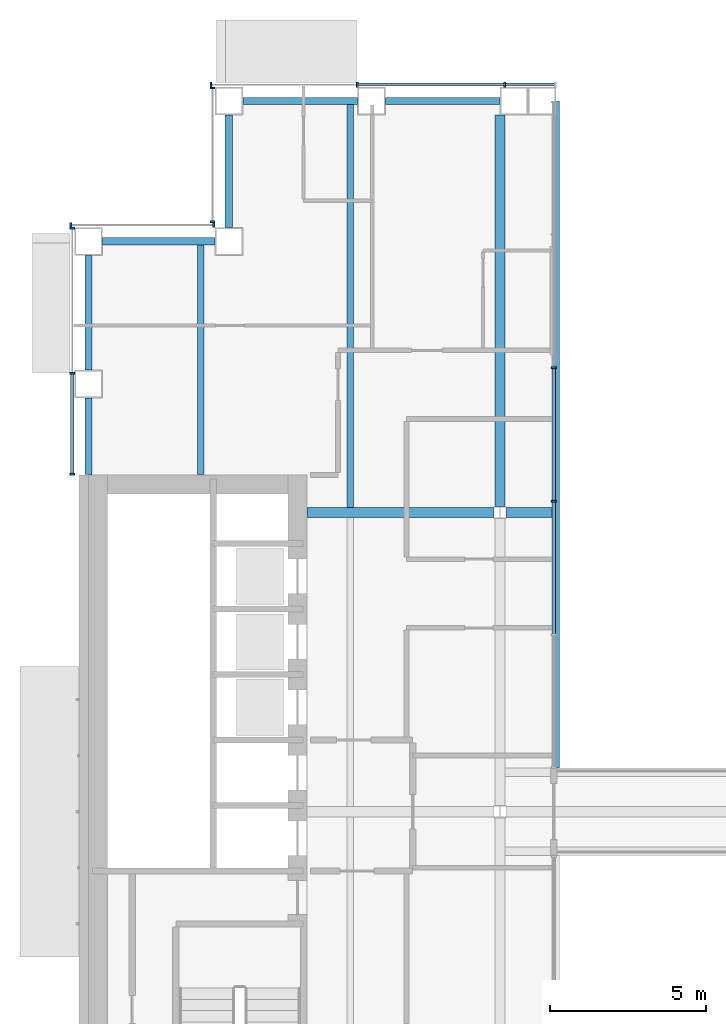
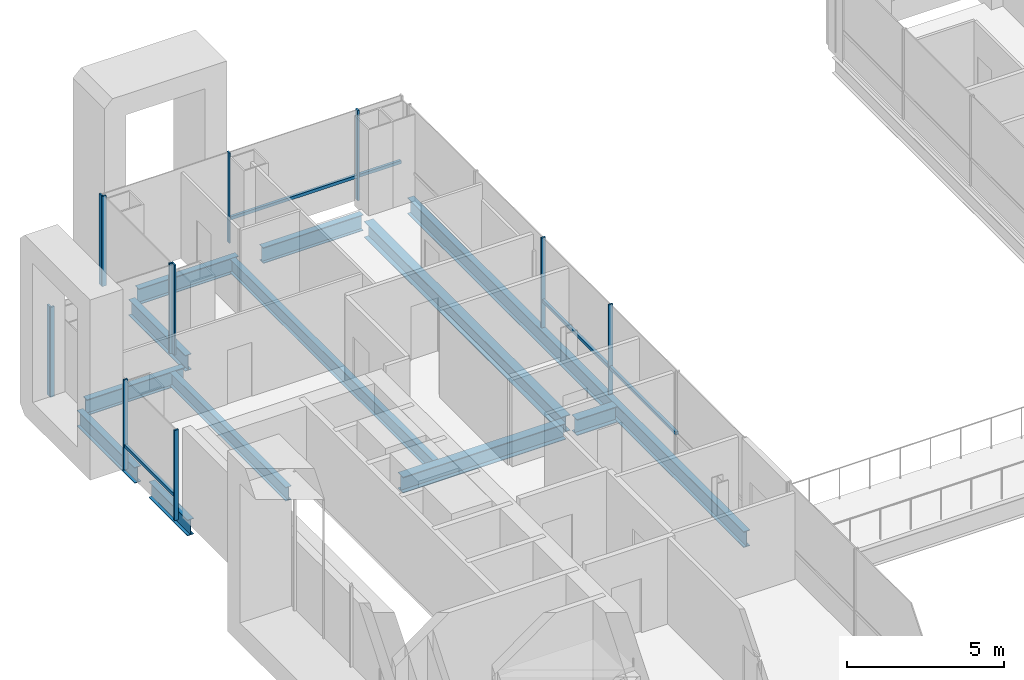
# One storey, part 7 of 20: 17 members, 12 beams, 5 elements without a shape of their own.
"""IFC4 building model written with IfcOpenShell, lengths in metres."""

from ifc_helpers import new_model, si_unit, direction, frame, origin, origin_2d, place, context, subcontext, project, spatial, rectangle, i_section, extrude, material, material_profile, profile_set, type_object, element, aggregate, save


model = new_model("IFC4")

# Units and contexts
model_context = context("Model", 3, precision=1e-05, world=origin(), true_north=direction((0.0, 1.0)))
body_context = subcontext(model_context, "Body", "Model", "MODEL_VIEW")
ifc_project = project(units=[si_unit("LENGTHUNIT", "METRE"), si_unit("AREAUNIT", "SQUARE_METRE"), si_unit("VOLUMEUNIT", "CUBIC_METRE"), si_unit("PLANEANGLEUNIT", "RADIAN"), si_unit("MASSUNIT", "GRAM", prefix="KILO")], contexts=[model_context])

# Site, building, storey
site_placement = place(None, origin())
site = spatial("IfcSite", under=ifc_project, at=site_placement, CompositionType="ELEMENT")
building_placement = place(site_placement, origin())
building = spatial("IfcBuilding", under=site, at=building_placement, Name="Cobrizo Arcos Hotel Tower", CompositionType="ELEMENT")
storey_placement = place(building_placement, frame((0.0, 0.0, 124.0)))
storey = spatial("IfcBuildingStorey", under=building, at=storey_placement, Name="L31", CompositionType="ELEMENT", Elevation=124.0)

# Curtain wall, members
ifc_material_1 = material(Name="Aluminium 6063-T6 anodised bronze", Category="aluminium")
curtain_wall_type_1 = type_object("IfcCurtainWallType", Name="CW-A guest facade", PredefinedType="NOTDEFINED", material=ifc_material_1)
curtain_wall_1_placement = place(storey_placement, origin())
curtain_wall_1 = element("IfcCurtainWall", 1, at=curtain_wall_1_placement, inside=storey, type_object=curtain_wall_type_1, Name="CW-A L31 N face", PredefinedType="NOTDEFINED")
ifc_material_profile_1 = material_profile(ifc_material_1, rectangle(XDim=0.14990234375, YDim=0.06005859375, at=origin_2d()), Name="CW-A mullion 150x60")
ifc_profile_set_1 = profile_set([ifc_material_profile_1], Name="Aluminium 6063-T6 anodised bronze")
member_type_1 = type_object("IfcMemberType", Name="CW-A mullion 150x60", PredefinedType="MULLION", material=ifc_profile_set_1)
member_1_placement = place(storey_placement, frame((-9.449951171875, 23.324951171875, 0.0), z_axis=(0.0, 0.0, 1.0), x_axis=(0.0, 1.0, 0.0)))
member_1 = element("IfcMember", 2, at=member_1_placement, type_object=member_type_1, Name="CW-A mullion 2", PredefinedType="MULLION", context=body_context, shape_type="SweptSolid", body=[
    extrude(rectangle(XDim=0.14990234375, YDim=0.06005859375, at=origin_2d()), origin(), (0.0, 0.0, 1.0), 3.5),
])
member_2_placement = place(storey_placement, frame((-14.175048828125, 23.324951171875, 0.0), z_axis=(0.0, 0.0, 1.0), x_axis=(0.0, 1.0, 0.0)))
member_2 = element("IfcMember", 3, at=member_2_placement, type_object=member_type_1, Name="CW-A mullion 3", PredefinedType="MULLION", context=body_context, shape_type="SweptSolid", body=[
    extrude(rectangle(XDim=0.14990234375, YDim=0.06005859375, at=origin_2d()), origin(), (0.0, 0.0, 1.0), 3.5),
])
member_3_placement = place(storey_placement, frame((-18.8701171875, 23.324951171875, 0.0), z_axis=(0.0, 0.0, 1.0), x_axis=(0.0, 1.0, 0.0)))
member_3 = element("IfcMember", 4, at=member_3_placement, type_object=member_type_1, Name="CW-A mullion 4", PredefinedType="MULLION", context=body_context, shape_type="SweptSolid", body=[
    extrude(rectangle(XDim=0.14990234375, YDim=0.06005859375, at=origin_2d()), origin(), (0.0, 0.0, 1.0), 3.5),
])

curtain_wall_2_placement = place(storey_placement, origin())
curtain_wall_2 = element("IfcCurtainWall", 5, at=curtain_wall_2_placement, inside=storey, type_object=curtain_wall_type_1, Name="CW-A L31 W face", PredefinedType="NOTDEFINED")
member_4_placement = place(storey_placement, frame((-18.824951171875, 23.219970703125, 0.0), z_axis=(0.0, 0.0, 1.0), x_axis=(-1.0, 0.0, 0.0)))
member_4 = element("IfcMember", 6, at=member_4_placement, type_object=member_type_1, Name="CW-A mullion 1", PredefinedType="MULLION", context=body_context, shape_type="SweptSolid", body=[
    extrude(rectangle(XDim=0.14990234375, YDim=0.06005859375, at=origin_2d()), origin(), (0.0, 0.0, 1.0), 3.5),
])
member_5_placement = place(storey_placement, frame((-18.824951171875, 18.929931640625, 0.0), z_axis=(0.0, 0.0, 1.0), x_axis=(-1.0, 0.0, 0.0)))
member_5 = element("IfcMember", 7, at=member_5_placement, type_object=member_type_1, Name="CW-A mullion 2", PredefinedType="MULLION", context=body_context, shape_type="SweptSolid", body=[
    extrude(rectangle(XDim=0.14990234375, YDim=0.06005859375, at=origin_2d()), origin(), (0.0, 0.0, 1.0), 3.5),
])
aggregate(curtain_wall_2, [member_4, member_5])

curtain_wall_3_placement = place(storey_placement, origin())
curtain_wall_3 = element("IfcCurtainWall", 8, at=curtain_wall_3_placement, inside=storey, type_object=curtain_wall_type_1, Name="CW-A L31 N face", PredefinedType="NOTDEFINED")
member_6_placement = place(storey_placement, frame((-18.780029296875, 18.824951171875, 0.0), z_axis=(0.0, 0.0, 1.0), x_axis=(0.0, 1.0, 0.0)))
member_6 = element("IfcMember", 9, at=member_6_placement, type_object=member_type_1, Name="CW-A mullion 1", PredefinedType="MULLION", context=body_context, shape_type="SweptSolid", body=[
    extrude(rectangle(XDim=0.14990234375, YDim=0.06005859375, at=origin_2d()), origin(), (0.0, 0.0, 1.0), 3.5),
])
member_7_placement = place(storey_placement, frame((-23.3701171875, 18.824951171875, 0.0), z_axis=(0.0, 0.0, 1.0), x_axis=(0.0, 1.0, 0.0)))
member_7 = element("IfcMember", 10, at=member_7_placement, type_object=member_type_1, Name="CW-A mullion 2", PredefinedType="MULLION", context=body_context, shape_type="SweptSolid", body=[
    extrude(rectangle(XDim=0.14990234375, YDim=0.06005859375, at=origin_2d()), origin(), (0.0, 0.0, 1.0), 3.5),
])
aggregate(curtain_wall_3, [member_6, member_7])

curtain_wall_4_placement = place(storey_placement, origin())
curtain_wall_4 = element("IfcCurtainWall", 11, at=curtain_wall_4_placement, inside=storey, type_object=curtain_wall_type_1, Name="CW-A L31 W face", PredefinedType="NOTDEFINED")
member_8_placement = place(storey_placement, frame((-23.324951171875, 18.719970703125, 0.0), z_axis=(0.0, 0.0, 1.0), x_axis=(-1.0, 0.0, 0.0)))
member_8 = element("IfcMember", 12, at=member_8_placement, type_object=member_type_1, Name="CW-A mullion 1", PredefinedType="MULLION", context=body_context, shape_type="SweptSolid", body=[
    extrude(rectangle(XDim=0.14990234375, YDim=0.06005859375, at=origin_2d()), origin(), (0.0, 0.0, 1.0), 3.5),
])
member_9_placement = place(storey_placement, frame((-23.324951171875, 14.0625, 0.0), z_axis=(0.0, 0.0, 1.0), x_axis=(-1.0, 0.0, 0.0)))
member_9 = element("IfcMember", 13, at=member_9_placement, type_object=member_type_1, Name="CW-A mullion 2", PredefinedType="MULLION", context=body_context, shape_type="SweptSolid", body=[
    extrude(rectangle(XDim=0.14990234375, YDim=0.06005859375, at=origin_2d()), origin(), (0.0, 0.0, 1.0), 3.5),
])
member_10_placement = place(storey_placement, frame((-23.324951171875, 10.830078125, 0.0), z_axis=(0.0, 0.0, 1.0), x_axis=(-1.0, 0.0, 0.0)))
member_10 = element("IfcMember", 14, at=member_10_placement, type_object=member_type_1, Name="CW-A mullion 3", PredefinedType="MULLION", context=body_context, shape_type="SweptSolid", body=[
    extrude(rectangle(XDim=0.14990234375, YDim=0.06005859375, at=origin_2d()), origin(), (0.0, 0.0, 1.0), 3.5),
])

# Member
ifc_material_profile_2 = material_profile(ifc_material_1, rectangle(XDim=0.10009765625, YDim=0.1201171875, at=origin_2d()), Name="CW-A transom 120x100")
ifc_profile_set_2 = profile_set([ifc_material_profile_2], Name="Aluminium 6063-T6 anodised bronze")
member_type_2 = type_object("IfcMemberType", Name="CW-A transom 120x100", PredefinedType="USERDEFINED", material=ifc_profile_set_2)
member_11_placement = place(storey_placement, frame((-7.860107421875, 23.324951171875, 0.929931640625), z_axis=(-1.0, 0.0, 0.0), x_axis=(0.0, -1.0, 0.0)))
member_11 = element("IfcMember", 15, at=member_11_placement, type_object=member_type_2, Name="CW-A transom 1180", ObjectType="TRANSOM", PredefinedType="USERDEFINED", context=body_context, shape_type="SweptSolid", body=[
    extrude(rectangle(XDim=0.10009765625, YDim=0.1201171875, at=origin_2d()), origin(), (0.0, 0.0, 1.0), 1.559814453125),
])

member_12_placement = place(storey_placement, frame((-9.47998046875, 23.324951171875, 0.929931640625), z_axis=(-1.0, 0.0, 0.0), x_axis=(0.0, -1.0, 0.0)))
member_12 = element("IfcMember", 16, at=member_12_placement, type_object=member_type_2, Name="CW-A transom 1181", ObjectType="TRANSOM", PredefinedType="USERDEFINED", context=body_context, shape_type="SweptSolid", body=[
    extrude(rectangle(XDim=0.10009765625, YDim=0.1201171875, at=origin_2d()), origin(), (0.0, 0.0, 1.0), 4.6650390625),
])

aggregate(curtain_wall_1, [member_1, member_2, member_3, member_11, member_12])

member_13_placement = place(storey_placement, frame((-23.324951171875, 14.032470703125, 0.929931640625), z_axis=(0.0, -1.0, 0.0), x_axis=(1.0, 0.0, 0.0)))
member_13 = element("IfcMember", 17, at=member_13_placement, type_object=member_type_2, Name="CW-A transom 1186", ObjectType="TRANSOM", PredefinedType="USERDEFINED", context=body_context, shape_type="SweptSolid", body=[
    extrude(rectangle(XDim=0.10009765625, YDim=0.1201171875, at=origin_2d()), origin(), (0.0, 0.0, 1.0), 3.17236328125),
])

aggregate(curtain_wall_4, [member_8, member_9, member_10, member_13])

# Curtain wall, members
curtain_wall_type_2 = type_object("IfcCurtainWallType", Name="CW-F void screen", PredefinedType="NOTDEFINED", material=ifc_material_1)
curtain_wall_5_placement = place(storey_placement, origin())
curtain_wall_5 = element("IfcCurtainWall", 18, at=curtain_wall_5_placement, inside=storey, type_object=curtain_wall_type_2, Name="CW-F L31 void screen B", PredefinedType="NOTDEFINED")
ifc_material_profile_3 = material_profile(ifc_material_1, rectangle(XDim=0.14990234375, YDim=0.06005859375, at=origin_2d()), Name="CW-F mullion 150x60")
ifc_profile_set_3 = profile_set([ifc_material_profile_3], Name="Aluminium 6063-T6 anodised bronze")
member_type_3 = type_object("IfcMemberType", Name="CW-F mullion 150x60", PredefinedType="MULLION", material=ifc_profile_set_3)
member_14_placement = place(storey_placement, frame((-7.875, 14.239990234375, 0.0), z_axis=(0.0, 0.0, 1.0), x_axis=(-1.0, 0.0, 0.0)))
member_14 = element("IfcMember", 19, at=member_14_placement, type_object=member_type_3, Name="CW-F mullion 3", PredefinedType="MULLION", context=body_context, shape_type="SweptSolid", body=[
    extrude(rectangle(XDim=0.14990234375, YDim=0.06005859375, at=origin_2d()), origin(), (0.0, 0.0, 1.0), 3.5),
])
member_15_placement = place(storey_placement, frame((-7.875, 9.9599609375, 0.0), z_axis=(0.0, 0.0, 1.0), x_axis=(-1.0, 0.0, 0.0)))
member_15 = element("IfcMember", 20, at=member_15_placement, type_object=member_type_3, Name="CW-F mullion 4", PredefinedType="MULLION", context=body_context, shape_type="SweptSolid", body=[
    extrude(rectangle(XDim=0.14990234375, YDim=0.06005859375, at=origin_2d()), origin(), (0.0, 0.0, 1.0), 3.5),
])
ifc_material_profile_4 = material_profile(ifc_material_1, rectangle(XDim=0.10009765625, YDim=0.1201171875, at=origin_2d()), Name="CW-F transom 120x100")
ifc_profile_set_4 = profile_set([ifc_material_profile_4], Name="Aluminium 6063-T6 anodised bronze")
member_type_4 = type_object("IfcMemberType", Name="CW-F transom 120x100", PredefinedType="USERDEFINED", material=ifc_profile_set_4)
member_16_placement = place(storey_placement, frame((-7.875, 14.2099609375, 1.050048828125), z_axis=(0.0, -1.0, 0.0), x_axis=(1.0, 0.0, 0.0)))
member_16 = element("IfcMember", 21, at=member_16_placement, type_object=member_type_4, Name="CW-F transom 2618", ObjectType="TRANSOM", PredefinedType="USERDEFINED", context=body_context, shape_type="SweptSolid", body=[
    extrude(rectangle(XDim=0.10009765625, YDim=0.1201171875, at=origin_2d()), origin(), (0.0, 0.0, 1.0), 4.219970703125),
])
member_17_placement = place(storey_placement, frame((-7.875, 9.929931640625, 1.050048828125), z_axis=(0.0, -1.0, 0.0), x_axis=(1.0, 0.0, 0.0)))
member_17 = element("IfcMember", 22, at=member_17_placement, type_object=member_type_4, Name="CW-F transom 2619", ObjectType="TRANSOM", PredefinedType="USERDEFINED", context=body_context, shape_type="SweptSolid", body=[
    extrude(rectangle(XDim=0.10009765625, YDim=0.1201171875, at=origin_2d()), origin(), (0.0, 0.0, 1.0), 4.219970703125),
])
aggregate(curtain_wall_5, [member_14, member_15, member_16, member_17])

# Beams
ifc_material_2 = material(Name="Steel ASTM A992 Grade 50", Category="steel")
ifc_material_profile_5 = material_profile(ifc_material_2, i_section(OverallWidth=0.209228515625, OverallDepth=0.533447265625, WebThickness=0.01025390625, FlangeThickness=0.015625, at=origin_2d()), Name="W21X62")
ifc_profile_set_5 = profile_set([ifc_material_profile_5], Name="Steel ASTM A992 Grade 50")
beam_type_1 = type_object("IfcBeamType", Name="W21X62 joist", PredefinedType="JOIST", material=ifc_profile_set_5)
beam_1_placement = place(storey_placement, frame((-19.199951171875, 10.81005859375, -0.416748046875), z_axis=(0.0, 1.0, 0.0), x_axis=(-1.0, 0.0, 0.0)))
element("IfcBeam", 23, at=beam_1_placement, inside=storey, type_object=beam_type_1, Name="Floor joist J1, L31, no. 002", PredefinedType="JOIST", context=body_context, shape_type="SweptSolid", body=[
    extrude(i_section(OverallWidth=0.209228515625, OverallDepth=0.533447265625, WebThickness=0.01025390625, FlangeThickness=0.015625, at=origin_2d()), origin(), (0.0, 0.0, 1.0), 7.39990234375),
])
beam_2_placement = place(storey_placement, frame((-14.39990234375, 9.763916015625, -0.416748046875), z_axis=(0.0, 1.0, 0.0), x_axis=(-1.0, 0.0, 0.0)))
element("IfcBeam", 24, at=beam_2_placement, inside=storey, type_object=beam_type_1, Name="Floor joist J1, L31, no. 006", PredefinedType="JOIST", context=body_context, shape_type="SweptSolid", body=[
    extrude(i_section(OverallWidth=0.209228515625, OverallDepth=0.533447265625, WebThickness=0.01025390625, FlangeThickness=0.015625, at=origin_2d()), origin(), (0.0, 0.0, 1.0), 12.946044921875),
])
ifc_material_profile_6 = material_profile(ifc_material_2, i_section(OverallWidth=0.32763671875, OverallDepth=0.622314453125, WebThickness=0.015380859375, FlangeThickness=0.0244140625, at=origin_2d()), Name="W24X131")
ifc_profile_set_6 = profile_set([ifc_material_profile_6], Name="Steel ASTM A992 Grade 50")
beam_type_2 = type_object("IfcBeamType", Name="W24X131 girder", PredefinedType="BEAM", material=ifc_profile_set_6)
beam_3_placement = place(storey_placement, frame((-15.7900390625, 9.60009765625, -0.461181640625), z_axis=(1.0, 0.0, 0.0), x_axis=(0.0, 1.0, 0.0)))
element("IfcBeam", 25, at=beam_3_placement, inside=storey, type_object=beam_type_2, Name="Floor girder G1, L31, no. 008", PredefinedType="BEAM", context=body_context, shape_type="SweptSolid", body=[
    extrude(i_section(OverallWidth=0.32763671875, OverallDepth=0.622314453125, WebThickness=0.015380859375, FlangeThickness=0.0244140625, at=origin_2d()), origin(), (0.0, 0.0, 1.0), 5.99072265625),
])
beam_4_placement = place(storey_placement, frame((-9.400634765625, 9.60009765625, -0.461181640625), z_axis=(1.0, 0.0, 0.0), x_axis=(0.0, 1.0, 0.0)))
element("IfcBeam", 26, at=beam_4_placement, inside=storey, type_object=beam_type_2, Name="Floor girder G1, L31, no. 009", PredefinedType="BEAM", context=body_context, shape_type="SweptSolid", body=[
    extrude(i_section(OverallWidth=0.32763671875, OverallDepth=0.622314453125, WebThickness=0.015380859375, FlangeThickness=0.0244140625, at=origin_2d()), origin(), (0.0, 0.0, 1.0), 1.5107421875),
])
beam_5_placement = place(storey_placement, frame((-9.60009765625, 9.79931640625, -0.461181640625), z_axis=(0.0, 1.0, 0.0), x_axis=(-1.0, 0.0, 0.0)))
element("IfcBeam", 27, at=beam_5_placement, inside=storey, type_object=beam_type_2, Name="Floor girder G1, L31, no. 015", PredefinedType="BEAM", context=body_context, shape_type="SweptSolid", body=[
    extrude(i_section(OverallWidth=0.32763671875, OverallDepth=0.622314453125, WebThickness=0.015380859375, FlangeThickness=0.0244140625, at=origin_2d()), origin(), (0.0, 0.0, 1.0), 12.55078125),
])
ifc_material_profile_7 = material_profile(ifc_material_2, i_section(OverallWidth=0.23046875, OverallDepth=0.6171875, WebThickness=0.01318359375, FlangeThickness=0.022216796875, at=origin_2d()), Name="W24X94")
ifc_profile_set_7 = profile_set([ifc_material_profile_7], Name="Steel ASTM A992 Grade 50")
beam_type_3 = type_object("IfcBeamType", Name="W24X94 spandrel", PredefinedType="SPANDREL", material=ifc_profile_set_7)
beam_6_placement = place(storey_placement, frame((-22.800048828125, 10.81005859375, -0.45849609375), z_axis=(0.0, 1.0, 0.0), x_axis=(-1.0, 0.0, 0.0)))
element("IfcBeam", 28, at=beam_6_placement, inside=storey, type_object=beam_type_3, Name="Spandrel beam W24X94, L31, no. 018", PredefinedType="SPANDREL", context=body_context, shape_type="SweptSolid", body=[
    extrude(i_section(OverallWidth=0.23046875, OverallDepth=0.6171875, WebThickness=0.01318359375, FlangeThickness=0.022216796875, at=origin_2d()), origin(), (0.0, 0.0, 1.0), 2.46484375),
])
beam_7_placement = place(storey_placement, frame((-22.800048828125, 14.175048828125, -0.45849609375), z_axis=(0.0, 1.0, 0.0), x_axis=(-1.0, 0.0, 0.0)))
element("IfcBeam", 29, at=beam_7_placement, inside=storey, type_object=beam_type_3, Name="Spandrel beam W24X94, L31, no. 019", PredefinedType="SPANDREL", context=body_context, shape_type="SweptSolid", body=[
    extrude(i_section(OverallWidth=0.23046875, OverallDepth=0.6171875, WebThickness=0.01318359375, FlangeThickness=0.022216796875, at=origin_2d()), origin(), (0.0, 0.0, 1.0), 3.675048828125),
])
for number, where, z_axis, x_axis, name in (
    (30, (-22.35009765625, 18.300048828125, -0.45849609375), (1.0, 0.0, 0.0), (0.0, 1.0, 0.0), "Spandrel beam W24X94, L31, no. 020"),
    (31, (-18.300048828125, 18.75, -0.45849609375), (0.0, 1.0, 0.0), (-1.0, 0.0, 0.0), "Spandrel beam W24X94, L31, no. 021"),
):
    element("IfcBeam", number, at=place(storey_placement, frame(where, z_axis=z_axis, x_axis=x_axis)), inside=storey, type_object=beam_type_3, Name=name, PredefinedType="SPANDREL", context=body_context, shape_type="SweptSolid", body=[
        extrude(i_section(OverallWidth=0.23046875, OverallDepth=0.6171875, WebThickness=0.01318359375, FlangeThickness=0.022216796875, at=origin_2d()), origin(), (0.0, 0.0, 1.0), 3.60009765625),
    ])
beam_8_placement = place(storey_placement, frame((-17.85009765625, 22.800048828125, -0.45849609375), z_axis=(1.0, 0.0, 0.0), x_axis=(0.0, 1.0, 0.0)))
element("IfcBeam", 32, at=beam_8_placement, inside=storey, type_object=beam_type_3, Name="Spandrel beam W24X94, L31, no. 022", PredefinedType="SPANDREL", context=body_context, shape_type="SweptSolid", body=[
    extrude(i_section(OverallWidth=0.23046875, OverallDepth=0.6171875, WebThickness=0.01318359375, FlangeThickness=0.022216796875, at=origin_2d()), origin(), (0.0, 0.0, 1.0), 3.675048828125),
])
beam_9_placement = place(storey_placement, frame((-13.27490234375, 22.800048828125, -0.45849609375), z_axis=(1.0, 0.0, 0.0), x_axis=(0.0, 1.0, 0.0)))
element("IfcBeam", 33, at=beam_9_placement, inside=storey, type_object=beam_type_3, Name="Spandrel beam W24X94, L31, no. 023", PredefinedType="SPANDREL", context=body_context, shape_type="SweptSolid", body=[
    extrude(i_section(OverallWidth=0.23046875, OverallDepth=0.6171875, WebThickness=0.01318359375, FlangeThickness=0.022216796875, at=origin_2d()), origin(), (0.0, 0.0, 1.0), 3.6748046875),
])
beam_10_placement = place(storey_placement, frame((-7.800048828125, 22.800048828125, -0.45849609375), z_axis=(0.0, -1.0, 0.0), x_axis=(1.0, 0.0, 0.0)))
element("IfcBeam", 34, at=beam_10_placement, inside=storey, type_object=beam_type_3, Name="Spandrel beam W24X94, L31, no. 024", PredefinedType="SPANDREL", context=body_context, shape_type="SweptSolid", body=[
    extrude(i_section(OverallWidth=0.23046875, OverallDepth=0.6171875, WebThickness=0.01318359375, FlangeThickness=0.022216796875, at=origin_2d()), origin(), (0.0, 0.0, 1.0), 21.400146484375),
])

save(model, "model.ifc")
